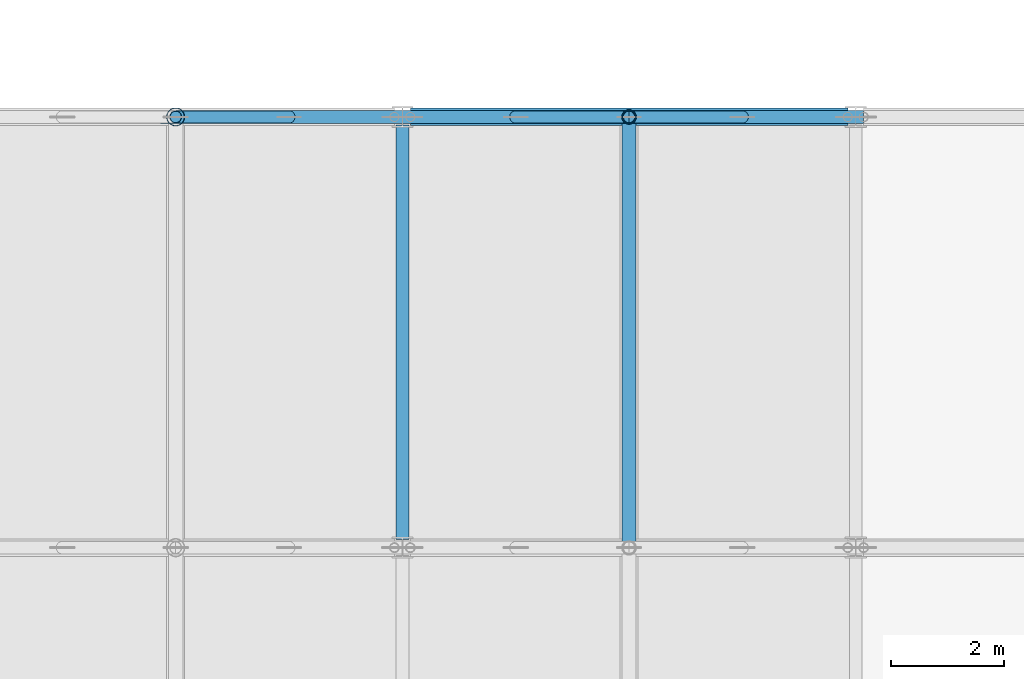
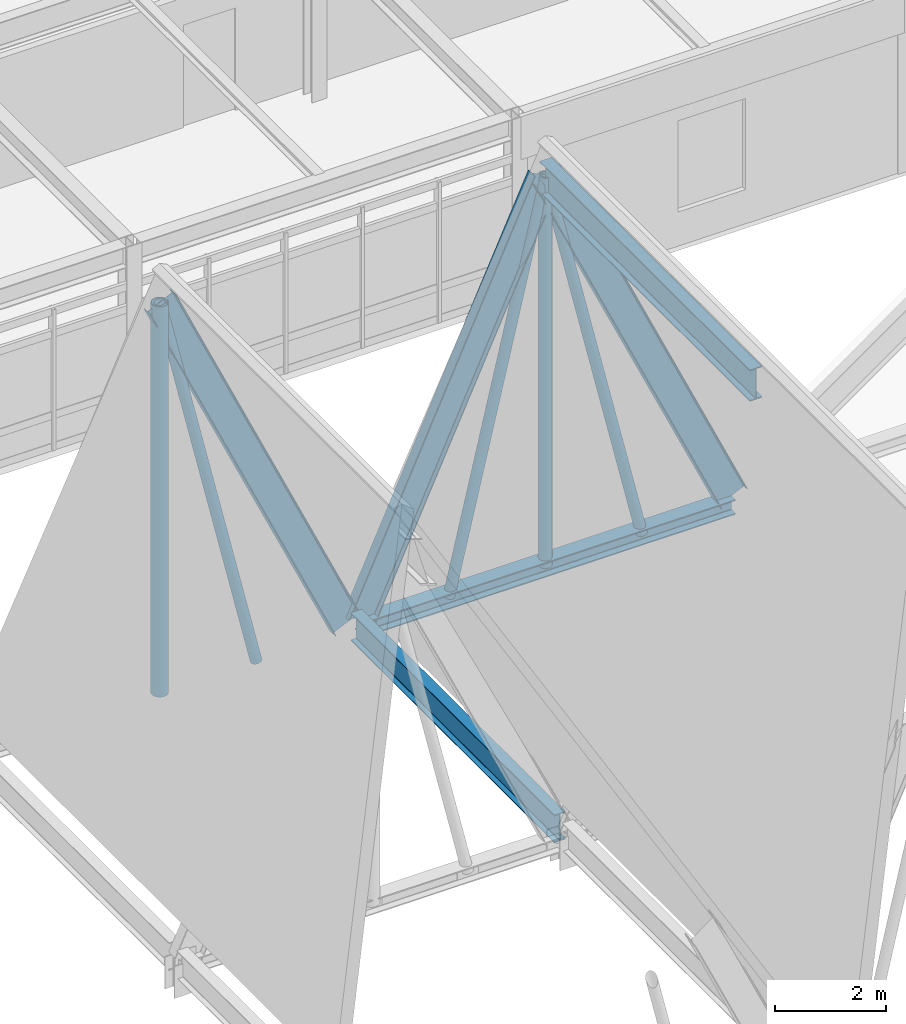
# One storey, part 42 of 85: 6 members, 5 beams.
"""IFC4 building model written with IfcOpenShell, lengths in metres."""

from ifc_helpers import new_model, si_unit, direction, frame, origin, origin_2d, place, context, subcontext, project, spatial, hollow_circle, i_section, extrude, material, material_profile, profile_set, type_object, element, save


model = new_model("IFC4")

# Units and contexts
model_context = context("Model", 3, precision=1e-05, world=origin(), true_north=direction((0.0, 1.0)))
body_context = subcontext(model_context, "Body", "Model", "MODEL_VIEW")
ifc_project = project(units=[si_unit("LENGTHUNIT", "METRE"), si_unit("AREAUNIT", "SQUARE_METRE"), si_unit("VOLUMEUNIT", "CUBIC_METRE"), si_unit("PLANEANGLEUNIT", "RADIAN"), si_unit("MASSUNIT", "GRAM", prefix="KILO")], contexts=[model_context])

# Site, building, storey
site_placement = place(None, origin())
site = spatial("IfcSite", under=ifc_project, at=site_placement, CompositionType="ELEMENT")
building_placement = place(site_placement, origin())
building = spatial("IfcBuilding", under=site, at=building_placement, Name="Zulena Civic Courthouse", CompositionType="ELEMENT")
storey_placement = place(building_placement, frame((0.0, 0.0, 25.199951171875)))
storey = spatial("IfcBuildingStorey", under=building, at=storey_placement, Name="L05", CompositionType="ELEMENT", Elevation=25.199951171875)

# Member
ifc_material_1 = material(Name="Steel ASTM A992 Grade 50", Category="steel")
ifc_material_profile_1 = material_profile(ifc_material_1, i_section(OverallWidth=0.30908203125, OverallDepth=0.322998046875, WebThickness=0.013916015625, FlangeThickness=0.02294921875, FilletRadius=0.01513671875, at=origin_2d()), Name="W12X96")
ifc_profile_set_1 = profile_set([ifc_material_profile_1], Name="Steel ASTM A992 Grade 50")
member_type_1 = type_object("IfcMemberType", Name="Chord_W12X96", PredefinedType="CHORD", material=ifc_profile_set_1)
member_1_placement = place(storey_placement, frame((76.139892578125, 38.0, 0.343017578125), z_axis=(1.0, 0.0, 0.0), x_axis=(0.0, 1.0, 0.0)))
element("IfcMember", 1, at=member_1_placement, inside=storey, type_object=member_type_1, Name="mem:fold:tie:02:38.0", PredefinedType="CHORD", context=body_context, shape_type="SweptSolid", body=[
    extrude(i_section(OverallWidth=0.30908203125, OverallDepth=0.322998046875, WebThickness=0.013916015625, FlangeThickness=0.02294921875, FilletRadius=0.01513671875, at=origin_2d()), origin(), (0.0, 0.0, 1.0), 7.72021484375),
])

# Beams
ifc_material_profile_2 = material_profile(ifc_material_1, i_section(OverallWidth=0.22802734375, OverallDepth=0.60693359375, WebThickness=0.01123046875, FlangeThickness=0.017333984375, FilletRadius=0.0126953125, at=origin_2d()), Name="W24X76")
ifc_profile_set_2 = profile_set([ifc_material_profile_2], Name="Steel ASTM A992 Grade 50")
beam_type_1 = type_object("IfcBeamType", Name="RoofRafter_W24X76", PredefinedType="BEAM", material=ifc_profile_set_2)
beam_1_placement = place(storey_placement, frame((72.010009765625, 38.0, 8.903076171875), z_axis=(0.416657439766, 0.0, -0.909063571973), x_axis=(0.0, 1.0, 0.0)))
element("IfcBeam", 2, at=beam_1_placement, inside=storey, type_object=beam_type_1, Name="beam:fold:rafE:01:38.0", PredefinedType="BEAM", context=body_context, shape_type="SweptSolid", body=[
    extrude(i_section(OverallWidth=0.22802734375, OverallDepth=0.60693359375, WebThickness=0.01123046875, FlangeThickness=0.017333984375, FilletRadius=0.0126953125, at=origin_2d()), origin(), (0.0, 0.0, 1.0), 9.240478515625),
])
beam_2_placement = place(storey_placement, frame((76.0, 30.5400390625, 0.5029296875), z_axis=(0.0, 1.0, 0.0), x_axis=(-1.0, 0.0, 0.0)))
element("IfcBeam", 3, at=beam_2_placement, inside=storey, type_object=beam_type_1, Name="beam:fold:val:L05:76.0:30.4", PredefinedType="BEAM", context=body_context, shape_type="SweptSolid", body=[
    extrude(i_section(OverallWidth=0.22802734375, OverallDepth=0.60693359375, WebThickness=0.01123046875, FlangeThickness=0.017333984375, FilletRadius=0.0126953125, at=origin_2d()), origin(), (0.0, 0.0, 1.0), 7.320068359375),
])
for number, where, z_axis, x_axis, name in (
    (4, (76.139892578125, 38.0, 0.5029296875), (0.416657439766, 0.0, 0.909063571973), (0.0, 1.0, 0.0), "beam:fold:rafW:02:38.0"),
    (5, (80.010009765625, 38.0, 8.903076171875), (0.416657439766, 0.0, -0.909063571973), (0.0, 1.0, 0.0), "beam:fold:rafE:02:38.0"),
):
    element("IfcBeam", number, at=place(storey_placement, frame(where, z_axis=z_axis, x_axis=x_axis)), inside=storey, type_object=beam_type_1, Name=name, PredefinedType="BEAM", context=body_context, shape_type="SweptSolid", body=[
        extrude(i_section(OverallWidth=0.22802734375, OverallDepth=0.60693359375, WebThickness=0.01123046875, FlangeThickness=0.017333984375, FilletRadius=0.0126953125, at=origin_2d()), origin(), (0.0, 0.0, 1.0), 9.240478515625),
    ])
ifc_material_profile_3 = material_profile(ifc_material_1, i_section(OverallWidth=0.25390625, OverallDepth=0.68798828125, WebThickness=0.01318359375, FlangeThickness=0.02099609375, FilletRadius=0.0166015625, at=origin_2d()), Name="W27X102")
ifc_profile_set_3 = profile_set([ifc_material_profile_3], Name="Steel ASTM A992 Grade 50")
beam_type_2 = type_object("IfcBeamType", Name="RoofRafter_W27X102", PredefinedType="BEAM", material=ifc_profile_set_3)
beam_3_placement = place(storey_placement, frame((80.0, 30.419921875, 8.903076171875), z_axis=(0.0, 1.0, 0.0), x_axis=(-1.0, 0.0, 0.0)))
element("IfcBeam", 6, at=beam_3_placement, inside=storey, type_object=beam_type_2, Name="beam:fold:ridge:02:30.4", PredefinedType="BEAM", context=body_context, shape_type="SweptSolid", body=[
    extrude(i_section(OverallWidth=0.25390625, OverallDepth=0.68798828125, WebThickness=0.01318359375, FlangeThickness=0.02099609375, FilletRadius=0.0166015625, at=origin_2d()), origin(), (0.0, 0.0, 1.0), 7.56005859375),
])

# Members
ifc_material_2 = material(Name="Steel ASTM A500 Grade C", Category="steel")
ifc_material_profile_4 = material_profile(ifc_material_2, hollow_circle(Radius=0.126953125, WallThickness=0.01171875, at=origin_2d()), Name="HSS10.000X0.500")
ifc_profile_set_4 = profile_set([ifc_material_profile_4], Name="Steel ASTM A500 Grade C")
member_type_2 = type_object("IfcMemberType", Name="RoofWeb_CHS10", PredefinedType="USERDEFINED", material=ifc_profile_set_4)
member_2_placement = place(storey_placement, frame((80.0, 38.0, 0.343017578125), z_axis=(0.0, 0.0, 1.0), x_axis=(1.0, 0.0, 0.0)))
element("IfcMember", 7, at=member_2_placement, inside=storey, type_object=member_type_2, Name="mem:fold:king:02:38.0", ObjectType="ROOF TRUSS", PredefinedType="USERDEFINED", context=body_context, shape_type="SweptSolid", body=[
    extrude(hollow_circle(Radius=0.126953125, WallThickness=0.01171875, at=origin_2d()), origin(), (0.0, 0.0, 1.0), 8.56005859375),
])
ifc_material_profile_5 = material_profile(ifc_material_2, hollow_circle(Radius=0.162109375, WallThickness=0.01171875, at=origin_2d()), Name="HSS12.750X0.500")
ifc_profile_set_5 = profile_set([ifc_material_profile_5], Name="Steel ASTM A500 Grade C")
member_type_3 = type_object("IfcMemberType", Name="RoofWeb_CHS12", PredefinedType="USERDEFINED", material=ifc_profile_set_5)
member_3_placement = place(storey_placement, frame((72.0, 38.0, 0.343017578125), z_axis=(0.0, 0.0, 1.0), x_axis=(1.0, 0.0, 0.0)))
element("IfcMember", 8, at=member_3_placement, inside=storey, type_object=member_type_3, Name="mem:fold:king:01:38.0", ObjectType="ROOF TRUSS", PredefinedType="USERDEFINED", context=body_context, shape_type="SweptSolid", body=[
    extrude(hollow_circle(Radius=0.162109375, WallThickness=0.01171875, at=origin_2d()), origin(), (0.0, 0.0, 1.0), 8.56005859375),
])
ifc_material_profile_6 = material_profile(ifc_material_2, hollow_circle(Radius=0.109619140625, WallThickness=0.0087890625, at=origin_2d()), Name="HSS8.625X0.375")
ifc_profile_set_6 = profile_set([ifc_material_profile_6], Name="Steel ASTM A500 Grade C")
member_type_4 = type_object("IfcMemberType", Name="RoofWeb_CHS8", PredefinedType="USERDEFINED", material=ifc_profile_set_6)
for number, where, z_axis, x_axis, name in (
    (9, (74.0, 38.0, 0.343017578125), (-0.227515822053, 0.0, 0.973774383888), (0.0, -1.0, 0.0), "mem:fold:diagE:01:38.0"),
    (10, (78.0, 38.0, 0.343017578125), (0.227515822053, 0.0, 0.973774383888), (0.0, 1.0, 0.0), "mem:fold:diagW:02:38.0"),
    (11, (82.0, 38.0, 0.343017578125), (-0.227515822053, 0.0, 0.973774383888), (0.0, -1.0, 0.0), "mem:fold:diagE:02:38.0"),
):
    element("IfcMember", number, at=place(storey_placement, frame(where, z_axis=z_axis, x_axis=x_axis)), inside=storey, type_object=member_type_4, Name=name, ObjectType="ROOF TRUSS", PredefinedType="USERDEFINED", context=body_context, shape_type="SweptSolid", body=[
        extrude(hollow_circle(Radius=0.109619140625, WallThickness=0.0087890625, at=origin_2d()), origin(), (0.0, 0.0, 1.0), 8.79052734375),
    ])

save(model, "model.ifc")
